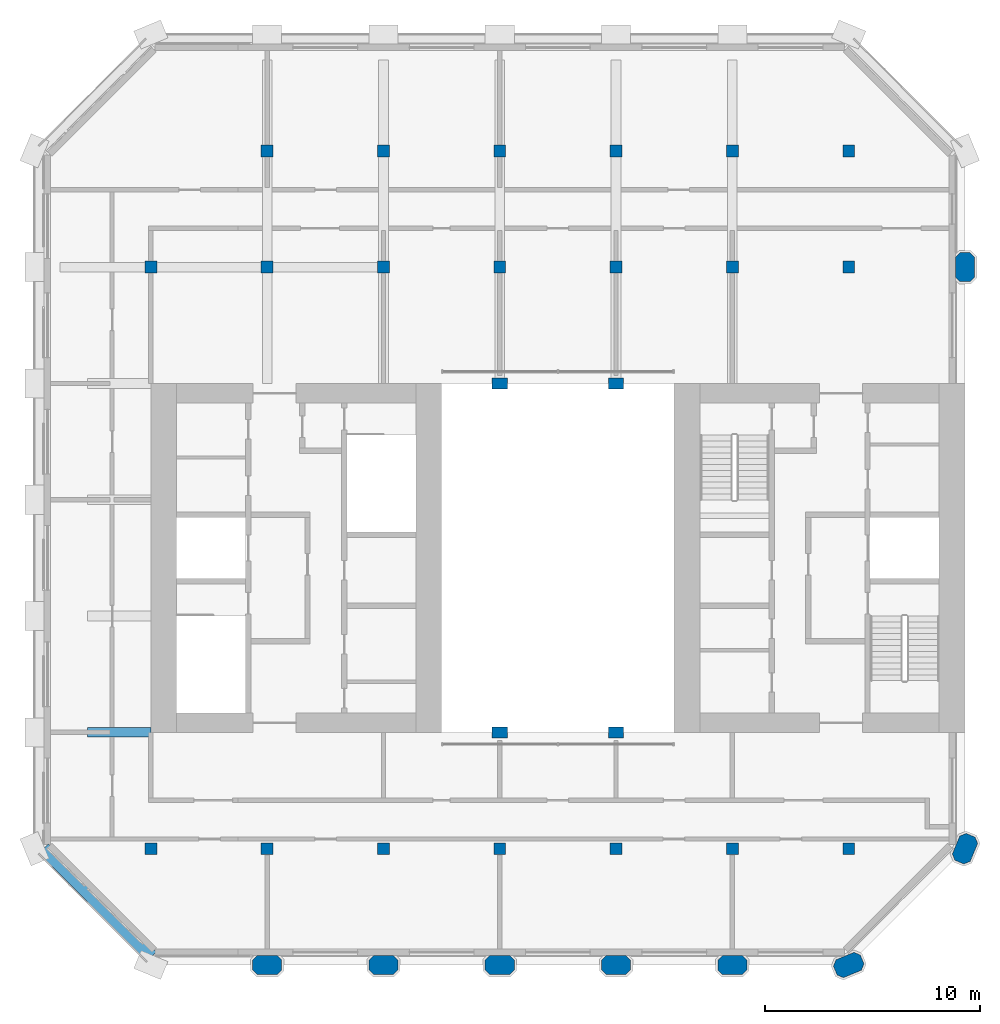
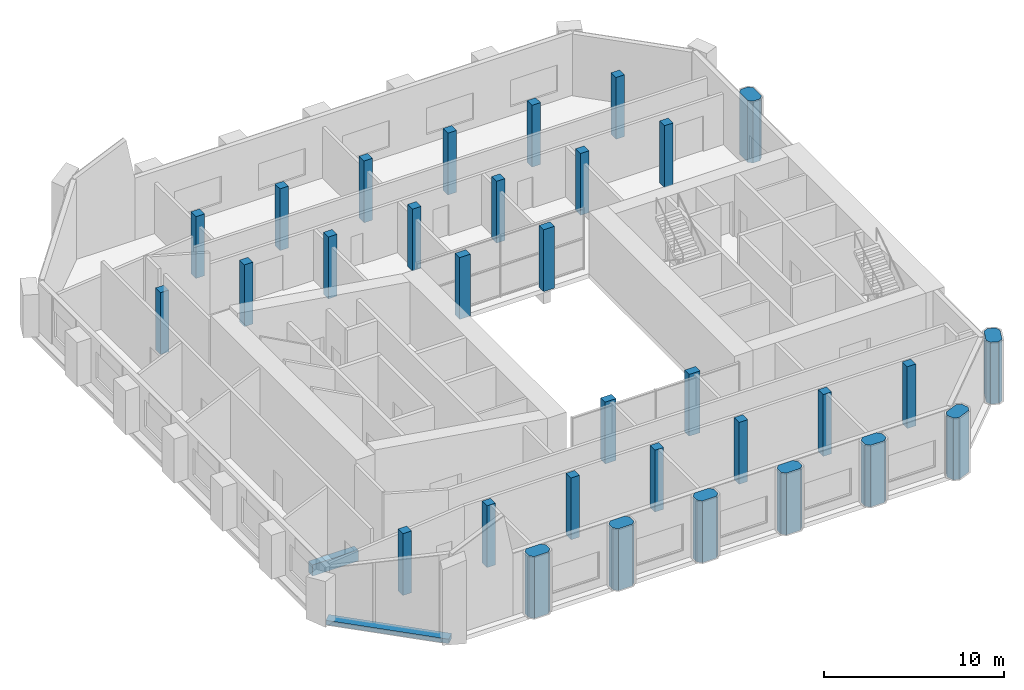
# One storey, part 1 of 11: 32 columns, 2 beams.
"""IFC4 building model written with IfcOpenShell, lengths in metres."""

import ifcopenshell
import ifcopenshell.guid

model = None  # the IFC model being written
_history = None  # IfcOwnerHistory: only IFC2X3 demands one
_inside = {}  # id of a spatial element -> (the spatial element, [elements in it])
_under = {}  # id of a project, library or spatial element -> (it, [spatial elements below it])
_declared = {}  # id of a project -> (the project, [libraries it declares])
_typed = {}  # id of a type object -> (the type object, [elements of that type])
_made_of = {}  # id of a material, layer set ... -> (it, [elements and type objects made of it])


def new_model(schema):
    """Start an empty IFC model of exactly this schema.

    Asked for "IFC4X3", IfcOpenShell would pick the latest addendum, in which some entities
    have other attributes; the version numbers below select the first issue.
    IFC2X3 requires an IfcOwnerHistory on every rooted entity: one is made here for all.
    """
    global model, _history
    if schema == "IFC4X3":
        model = ifcopenshell.file(schema_version=(4, 3, 0, 0))
    else:
        model = ifcopenshell.file(schema=schema)
    _inside.clear()
    _under.clear()
    _declared.clear()
    _typed.clear()
    _made_of.clear()
    _history = None
    if model.schema == "IFC2X3":
        org = make("IfcOrganization", Name="unknown")
        user = make(
            "IfcPersonAndOrganization",
            ThePerson=make("IfcPerson", FamilyName="unknown"),
            TheOrganization=org,
        )
        app = make(
            "IfcApplication",
            ApplicationDeveloper=org,
            Version="unknown",
            ApplicationFullName="unknown",
            ApplicationIdentifier="unknown",
        )
        _history = make(
            "IfcOwnerHistory",
            OwningUser=user,
            OwningApplication=app,
            ChangeAction="ADDED",
            CreationDate=0,
        )
    return model


def make(cls, **values):
    """One entity of the class cls with the attributes given. An attribute that is None is left unset."""
    return model.create_entity(
        cls, **{name: value for name, value in values.items() if value is not None}
    )


def rooted(cls, **values):
    """An entity with a GlobalId (a new one), such as an element, a storey or a relation."""
    return make(cls, GlobalId=ifcopenshell.guid.new(), OwnerHistory=_history, **values)


def si_unit(unit_type, name, prefix=None):
    """IfcSIUnit, for example si_unit("LENGTHUNIT", "METRE", prefix="MILLI")."""
    return make("IfcSIUnit", UnitType=unit_type, Prefix=prefix, Name=name)


def assignment(units):
    """IfcUnitAssignment: the units of a project."""
    return None if units is None else make("IfcUnitAssignment", Units=units)


def point(xyz):
    """IfcCartesianPoint."""
    return None if xyz is None else make("IfcCartesianPoint", Coordinates=xyz)


def direction(xyz):
    """IfcDirection."""
    return None if xyz is None else make("IfcDirection", DirectionRatios=xyz)


def frame(location, z_axis=None, x_axis=None):
    """IfcAxis2Placement3D, a coordinate frame: its origin and axes. An axis left out is left unset."""
    return make(
        "IfcAxis2Placement3D",
        Location=point(location),
        Axis=direction(z_axis),
        RefDirection=direction(x_axis),
    )


def frame_2d(location, x_axis=None):
    """IfcAxis2Placement2D, a coordinate frame in the plane: its origin and x axis."""
    return make(
        "IfcAxis2Placement2D", Location=point(location), RefDirection=direction(x_axis)
    )


def origin():
    """The frame at (0, 0, 0) with its axes left unset."""
    return frame((0.0, 0.0, 0.0))


def origin_2d():
    """The frame at (0, 0) in the plane with its x axis left unset."""
    return frame_2d((0.0, 0.0))


def place(relative_to, where):
    """IfcLocalPlacement: puts the frame where relative to a parent placement (None: the world)."""
    return make(
        "IfcLocalPlacement", PlacementRelTo=relative_to, RelativePlacement=where
    )


def context(
    kind, dimensions, precision=None, world=None, true_north=None, identifier=None
):
    """IfcGeometricRepresentationContext, for example the 3D "Model" context."""
    return make(
        "IfcGeometricRepresentationContext",
        ContextIdentifier=identifier,
        ContextType=kind,
        CoordinateSpaceDimension=dimensions,
        Precision=precision,
        WorldCoordinateSystem=world,
        TrueNorth=true_north,
    )


def subcontext(parent, identifier, kind, view, scale=None):
    """IfcGeometricRepresentationSubContext, for example "Body" below "Model"."""
    return make(
        "IfcGeometricRepresentationSubContext",
        ContextIdentifier=identifier,
        ContextType=kind,
        ParentContext=parent,
        TargetScale=scale,
        TargetView=view,
    )


def project(units=None, contexts=None):
    """IfcProject with its units and contexts."""
    return rooted(
        "IfcProject",
        Name="project",
        RepresentationContexts=contexts,
        UnitsInContext=assignment(units),
    )


def spatial(cls, under=None, at=None, **own):
    """A site, building, storey or space (cls), placed at a placement, below another one or the project."""
    s = rooted(cls, ObjectPlacement=at, **own)
    if under is not None:
        _under.setdefault(under.id(), (under, []))[1].append(s)
    return s


def polyline(points):
    """IfcPolyline through the points."""
    return make("IfcPolyline", Points=[point(p) for p in points])


def profile(cls, at=None, kind="AREA", **sizes):
    """A parametric profile (cls). Its sizes go by their IFC names, for example OverallWidth=200.0."""
    return make(cls, ProfileType=kind, Position=at, **sizes)


def rectangle(**sizes):
    """IfcRectangleProfileDef."""
    return profile("IfcRectangleProfileDef", **sizes)


def outline(outer, holes=None, kind="AREA"):
    """IfcArbitraryClosedProfileDef: a profile drawn as a closed curve; with holes, ...WithVoids."""
    if holes is None:
        return make("IfcArbitraryClosedProfileDef", ProfileType=kind, OuterCurve=outer)
    return make(
        "IfcArbitraryProfileDefWithVoids",
        ProfileType=kind,
        OuterCurve=outer,
        InnerCurves=holes,
    )


def extrude(swept, where, along, depth):
    """IfcExtrudedAreaSolid: the profile swept, set in the frame where, extruded along a direction by depth."""
    return make(
        "IfcExtrudedAreaSolid",
        SweptArea=swept,
        Position=where,
        ExtrudedDirection=direction(along),
        Depth=depth,
    )


def shape(context_of_items, identifier, shape_type, items):
    """IfcShapeRepresentation: the items that make up one representation, for example the "Body"."""
    return make(
        "IfcShapeRepresentation",
        ContextOfItems=context_of_items,
        RepresentationIdentifier=identifier,
        RepresentationType=shape_type,
        Items=items,
    )


def material(Name=None, Category=None):
    """IfcMaterial."""
    return make("IfcMaterial", Name=Name, Category=Category)


def material_profile(
    of_material, cross_section, Name=None, Category=None, Priority=None
):
    """IfcMaterialProfile: a cross section and its material."""
    return make(
        "IfcMaterialProfile",
        Name=Name,
        Material=of_material,
        Profile=cross_section,
        Priority=Priority,
        Category=Category,
    )


def profile_set(profiles, Name=None, composite=None):
    """IfcMaterialProfileSet."""
    return make(
        "IfcMaterialProfileSet",
        Name=Name,
        MaterialProfiles=profiles,
        CompositeProfile=composite,
    )


def made_of(thing, what):
    """Note that an element or type object is made of a material, layer set ...; save() writes the relation."""
    if what is not None:
        _made_of.setdefault(what.id(), (what, []))[1].append(thing)
    return thing


def type_object(cls, material=None, **own):
    """A type object (cls), such as IfcWallType, which elements share."""
    return made_of(rooted(cls, **own), material)


def element(
    cls,
    number,
    at=None,
    inside=None,
    cuts=None,
    type_object=None,
    material=None,
    context=None,
    identifier="Body",
    shape_type=None,
    held_by="IfcProductDefinitionShape",
    body=None,
    shapes=None,
    **own,
):
    """One element of the class cls, such as IfcWall. Its Tag is "e" and its number.

    at: its placement. inside: the storey or other place that contains it. cuts: it is an
    opening in that element (IfcRelVoidsElement). A single representation is given by context,
    identifier, shape_type and body (its items); several are given by shapes. held_by: the class
    of the entity that holds the representations. save() writes the other relations.
    """
    e = rooted(cls, Tag="e%d" % number, ObjectPlacement=at, **own)
    if body is not None:
        shapes = [shape(context, identifier, shape_type, body)]
    if shapes is not None:
        e.Representation = make(held_by, Representations=shapes)
    if inside is not None:
        _inside.setdefault(inside.id(), (inside, []))[1].append(e)
    if cuts is not None:
        rooted(
            "IfcRelVoidsElement", RelatingBuildingElement=cuts, RelatedOpeningElement=e
        )
    if type_object is not None:
        _typed.setdefault(type_object.id(), (type_object, []))[1].append(e)
    return made_of(e, material)


def aggregate(whole, parts):
    """IfcRelAggregates: a whole, such as a stair, and the parts it consists of."""
    return rooted("IfcRelAggregates", RelatingObject=whole, RelatedObjects=parts)


def save(model, path):
    """Write the relations noted so far, then the file.

    IfcRelAggregates (storeys below a building ...), IfcRelContainedInSpatialStructure (elements
    in a storey), IfcRelDefinesByType, IfcRelAssociatesMaterial and IfcRelDeclares: one each for
    every whole, place, type object, material and project.
    """
    for whole, parts in _under.values():
        aggregate(whole, parts)
    for where, things in _inside.values():
        rooted(
            "IfcRelContainedInSpatialStructure",
            RelatedElements=things,
            RelatingStructure=where,
        )
    for kind, things in _typed.values():
        rooted("IfcRelDefinesByType", RelatedObjects=things, RelatingType=kind)
    for what, things in _made_of.values():
        rooted("IfcRelAssociatesMaterial", RelatedObjects=things, RelatingMaterial=what)
    for by, libraries in _declared.values():
        rooted("IfcRelDeclares", RelatingContext=by, RelatedDefinitions=libraries)
    model.write(path)


model = new_model("IFC4")

# Units and contexts
model_context = context("Model", 3, precision=1e-05, world=origin(), true_north=direction((0.0, 1.0)))
body_context = subcontext(model_context, "Body", "Model", "MODEL_VIEW")
ifc_project = project(units=[si_unit("LENGTHUNIT", "METRE"), si_unit("AREAUNIT", "SQUARE_METRE"), si_unit("VOLUMEUNIT", "CUBIC_METRE"), si_unit("PLANEANGLEUNIT", "RADIAN"), si_unit("MASSUNIT", "GRAM", prefix="KILO")], contexts=[model_context])

# Site, building, storey
site_placement = place(None, origin())
site = spatial("IfcSite", under=ifc_project, at=site_placement, CompositionType="ELEMENT")
building_placement = place(site_placement, origin())
building = spatial("IfcBuilding", under=site, at=building_placement, Name="Tabaq Tower and Sports Hall", CompositionType="ELEMENT")
storey_placement = place(building_placement, frame((0.0, 0.0, 321.699951171875)))
storey = spatial("IfcBuildingStorey", under=building, at=storey_placement, Name="L80", CompositionType="ELEMENT", Elevation=321.699951171875)

# Columns
ifc_material_1 = material(Name="Concrete C40/50", Category="concrete")
ifc_material_profile_1 = material_profile(ifc_material_1, rectangle(XDim=0.699951171875, YDim=0.5, at=origin_2d()), Name="ATRIUM COLUMN 700x500")
ifc_profile_set_1 = profile_set([ifc_material_profile_1], Name="Concrete C40/50")
column_type_1 = type_object("IfcColumnType", Name="RC COLUMN ATRIUM COLUMN 700x500 C40/50", PredefinedType="COLUMN", material=ifc_profile_set_1)
for number, where, z_axis, x_axis, name in (
    (1, (21.60009765625, 16.199951171875, 0.0), (0.0, 0.0, 1.0), (1.0, 0.0, 0.0), "Atrium Column 5/D L80"),
    (2, (27.0, 16.199951171875, 0.0), (0.0, 0.0, 1.0), (1.0, 0.0, 0.0), "Atrium Column 6/D L80"),
    (3, (21.60009765625, 32.39990234375, 0.0), (0.0, 0.0, 1.0), (1.0, 0.0, 0.0), "Atrium Column 5/G L80"),
    (4, (27.0, 32.39990234375, 0.0), (0.0, 0.0, 1.0), (1.0, 0.0, 0.0), "Atrium Column 6/G L80"),
):
    element("IfcColumn", number, at=place(storey_placement, frame(where, z_axis=z_axis, x_axis=x_axis)), inside=storey, type_object=column_type_1, Name=name, PredefinedType="COLUMN", context=body_context, shape_type="SweptSolid", body=[
        extrude(rectangle(XDim=0.699951171875, YDim=0.5, at=origin_2d()), origin(), (0.0, 0.0, 1.0), 4.199951171875),
    ])
ifc_material_2 = material(Name="Concrete C40/50", Category="concrete")
ifc_material_profile_2 = material_profile(ifc_material_2, rectangle(XDim=0.550048828125, YDim=0.550048828125, at=origin_2d()), Name="COLUMN 550x550")
ifc_profile_set_2 = profile_set([ifc_material_profile_2], Name="Concrete C40/50")
column_type_2 = type_object("IfcColumnType", Name="RC COLUMN COLUMN 550x550 C40/50", PredefinedType="COLUMN", material=ifc_profile_set_2)
for number, where, z_axis, x_axis, name in (
    (5, (5.39990234375, 10.800048828125, 0.0), (0.0, 0.0, 1.0), (1.0, 0.0, 0.0), "Column 2/C L80"),
    (6, (10.800048828125, 10.800048828125, 0.0), (0.0, 0.0, 1.0), (1.0, 0.0, 0.0), "Column 3/C L80"),
    (7, (16.199951171875, 10.800048828125, 0.0), (0.0, 0.0, 1.0), (1.0, 0.0, 0.0), "Column 4/C L80"),
    (8, (21.60009765625, 10.800048828125, 0.0), (0.0, 0.0, 1.0), (1.0, 0.0, 0.0), "Column 5/C L80"),
    (9, (27.0, 10.800048828125, 0.0), (0.0, 0.0, 1.0), (1.0, 0.0, 0.0), "Column 6/C L80"),
    (10, (32.39990234375, 10.800048828125, 0.0), (0.0, 0.0, 1.0), (1.0, 0.0, 0.0), "Column 7/C L80"),
    (11, (37.800048828125, 10.800048828125, 0.0), (0.0, 0.0, 1.0), (1.0, 0.0, 0.0), "Column 8/C L80"),
    (12, (5.39990234375, 37.800048828125, 0.0), (0.0, 0.0, 1.0), (1.0, 0.0, 0.0), "Column 2/H L80"),
    (13, (10.800048828125, 37.800048828125, 0.0), (0.0, 0.0, 1.0), (1.0, 0.0, 0.0), "Column 3/H L80"),
    (14, (16.199951171875, 37.800048828125, 0.0), (0.0, 0.0, 1.0), (1.0, 0.0, 0.0), "Column 4/H L80"),
    (15, (21.60009765625, 37.800048828125, 0.0), (0.0, 0.0, 1.0), (1.0, 0.0, 0.0), "Column 5/H L80"),
    (16, (27.0, 37.800048828125, 0.0), (0.0, 0.0, 1.0), (1.0, 0.0, 0.0), "Column 6/H L80"),
    (17, (32.39990234375, 37.800048828125, 0.0), (0.0, 0.0, 1.0), (1.0, 0.0, 0.0), "Column 7/H L80"),
    (18, (37.800048828125, 37.800048828125, 0.0), (0.0, 0.0, 1.0), (1.0, 0.0, 0.0), "Column 8/H L80"),
    (19, (10.800048828125, 43.199951171875, 0.0), (0.0, 0.0, 1.0), (1.0, 0.0, 0.0), "Column 3/I L80"),
    (20, (16.199951171875, 43.199951171875, 0.0), (0.0, 0.0, 1.0), (1.0, 0.0, 0.0), "Column 4/I L80"),
    (21, (21.60009765625, 43.199951171875, 0.0), (0.0, 0.0, 1.0), (1.0, 0.0, 0.0), "Column 5/I L80"),
    (22, (27.0, 43.199951171875, 0.0), (0.0, 0.0, 1.0), (1.0, 0.0, 0.0), "Column 6/I L80"),
    (23, (32.39990234375, 43.199951171875, 0.0), (0.0, 0.0, 1.0), (1.0, 0.0, 0.0), "Column 7/I L80"),
    (24, (37.800048828125, 43.199951171875, 0.0), (0.0, 0.0, 1.0), (1.0, 0.0, 0.0), "Column 8/I L80"),
):
    element("IfcColumn", number, at=place(storey_placement, frame(where, z_axis=z_axis, x_axis=x_axis)), inside=storey, type_object=column_type_2, Name=name, PredefinedType="COLUMN", context=body_context, shape_type="SweptSolid", body=[
        extrude(rectangle(XDim=0.550048828125, YDim=0.550048828125, at=origin_2d()), origin(), (0.0, 0.0, 1.0), 4.199951171875),
    ])
ifc_material_3 = material(Name="Concrete C40/50", Category="concrete")
ifc_material_profile_3 = material_profile(ifc_material_3, outline(polyline([(-0.449951171875, -0.449951171875), (0.449951171875, -0.449951171875), (0.675048828125, -0.22509765625), (0.675048828125, 0.22509765625), (0.449951171875, 0.449951171875), (-0.449951171875, 0.449951171875), (-0.675048828125, 0.22509765625), (-0.675048828125, -0.22509765625), (-0.449951171875, -0.449951171875)])), Name="PIER 1350x900")
ifc_profile_set_3 = profile_set([ifc_material_profile_3], Name="Concrete C40/50")
column_type_3 = type_object("IfcColumnType", Name="RC COLUMN PIER 1350x900 C40/50", PredefinedType="COLUMN", material=ifc_profile_set_3)
for number, where, z_axis, x_axis, name in (
    (25, (10.800048828125, 5.39990234375, 0.0), (0.0, 0.0, 1.0), (1.0, 0.0, 0.0), "Pier 3/B L80"),
    (26, (16.199951171875, 5.39990234375, 0.0), (0.0, 0.0, 1.0), (1.0, 0.0, 0.0), "Pier 4/B L80"),
    (27, (21.60009765625, 5.39990234375, 0.0), (0.0, 0.0, 1.0), (1.0, 0.0, 0.0), "Pier 5/B L80"),
    (28, (27.0, 5.39990234375, 0.0), (0.0, 0.0, 1.0), (1.0, 0.0, 0.0), "Pier 6/B L80"),
    (29, (32.39990234375, 5.39990234375, 0.0), (0.0, 0.0, 1.0), (1.0, 0.0, 0.0), "Pier 7/B L80"),
    (30, (37.800048828125, 5.39990234375, 0.0), (0.0, 0.0, 1.0), (0.923879532511, 0.382683432365, 0.0), "Pier 8/B L80"),
    (31, (43.199951171875, 10.800048828125, 0.0), (0.0, 0.0, 1.0), (0.382683432365, 0.923879532511, 0.0), "Pier 9/C L80"),
    (32, (43.199951171875, 37.800048828125, 0.0), (0.0, 0.0, 1.0), (0.0, 1.0, 0.0), "Pier 9/H L80"),
):
    element("IfcColumn", number, at=place(storey_placement, frame(where, z_axis=z_axis, x_axis=x_axis)), inside=storey, type_object=column_type_3, Name=name, PredefinedType="COLUMN", context=body_context, shape_type="SweptSolid", body=[
        extrude(outline(polyline([(-0.449951171875, -0.449951171875), (0.449951171875, -0.449951171875), (0.675048828125, -0.22509765625), (0.675048828125, 0.22509765625), (0.449951171875, 0.449951171875), (-0.449951171875, 0.449951171875), (-0.675048828125, 0.22509765625), (-0.675048828125, -0.22509765625), (-0.449951171875, -0.449951171875)])), origin(), (0.0, 0.0, 1.0), 4.199951171875),
    ])

# Beams
ifc_material_4 = material(Name="Concrete C40/50", Category="concrete")
ifc_material_profile_4 = material_profile(ifc_material_4, rectangle(XDim=0.449951171875, YDim=0.75, at=origin_2d()), Name="CB 450x750")
ifc_profile_set_4 = profile_set([ifc_material_profile_4], Name="Concrete C40/50")
beam_type_1 = type_object("IfcBeamType", Name="PT CANTILEVER BEAM CB 450x750 C40/50", PredefinedType="BEAM", material=ifc_profile_set_4)
beam_1_placement = place(storey_placement, frame((2.449951171875, 16.199951171875, -0.675048828125), z_axis=(1.0, 0.0, 0.0), x_axis=(0.0, 1.0, 0.0)))
element("IfcBeam", 33, at=beam_1_placement, inside=storey, type_object=beam_type_1, Name="Cantilever Beam L80 W3 span 1", PredefinedType="BEAM", context=body_context, shape_type="SweptSolid", body=[
    extrude(rectangle(XDim=0.449951171875, YDim=0.75, at=origin_2d()), origin(), (0.0, 0.0, 1.0), 2.949951171875),
])
ifc_material_5 = material(Name="Concrete C40/50", Category="concrete")
ifc_material_profile_5 = material_profile(ifc_material_5, rectangle(XDim=0.60009765625, YDim=0.300048828125, at=origin_2d()), Name="EB 600x300")
ifc_profile_set_5 = profile_set([ifc_material_profile_5], Name="Concrete C40/50")
beam_type_2 = type_object("IfcBeamType", Name="PT EDGE BEAM EB 600x300 C40/50", PredefinedType="SPANDREL", material=ifc_profile_set_5)
beam_2_placement = place(storey_placement, frame((0.42333984375, 10.801025390625, -0.14990234375), z_axis=(0.707089559252, -0.707124002701, 0.0), x_axis=(0.707124002701, 0.707089559252, 0.0)))
element("IfcBeam", 34, at=beam_2_placement, inside=storey, type_object=beam_type_2, Name="Edge Beam L80 5", PredefinedType="SPANDREL", context=body_context, shape_type="SweptSolid", body=[
    extrude(rectangle(XDim=0.60009765625, YDim=0.300048828125, at=origin_2d()), origin(), (0.0, 0.0, 1.0), 7.088134765625),
])

save(model, "model.ifc")
